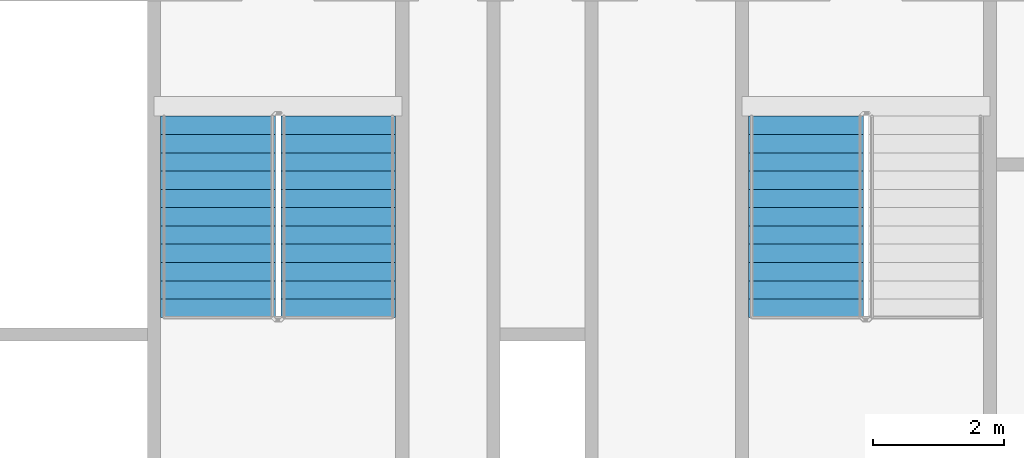
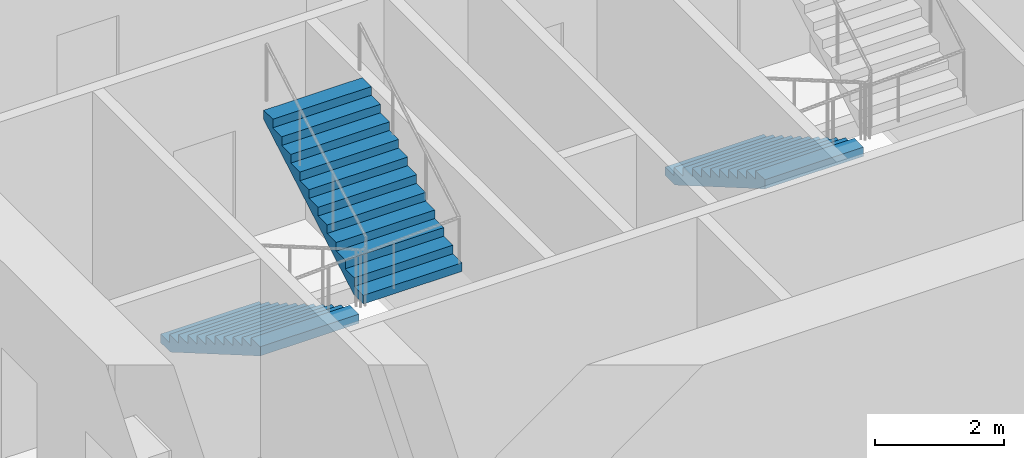
# One storey, part 15 of 22: 3 stair flights, 2 elements without a shape of their own.
"""IFC4 building model written with IfcOpenShell, lengths in metres."""

from ifc_helpers import new_model, si_unit, direction, frame, origin, place, context, subcontext, project, spatial, faceted_brep, material, type_object, element, aggregate, save


model = new_model("IFC4")

# Units and contexts
model_context = context("Model", 3, precision=1e-05, world=origin(), true_north=direction((0.0, 1.0)))
body_context = subcontext(model_context, "Body", "Model", "MODEL_VIEW")
ifc_project = project(units=[si_unit("LENGTHUNIT", "METRE"), si_unit("AREAUNIT", "SQUARE_METRE"), si_unit("VOLUMEUNIT", "CUBIC_METRE"), si_unit("PLANEANGLEUNIT", "RADIAN"), si_unit("MASSUNIT", "GRAM", prefix="KILO")], contexts=[model_context])

# Site, building, storey
site_placement = place(None, origin())
site = spatial("IfcSite", under=ifc_project, at=site_placement, CompositionType="ELEMENT")
building_placement = place(site_placement, origin())
building = spatial("IfcBuilding", under=site, at=building_placement, Name="Tarsis Ring Headquarters", CompositionType="ELEMENT")
storey_placement = place(building_placement, frame((0.0, 0.0, 63.39990234375)))
storey = spatial("IfcBuildingStorey", under=building, at=storey_placement, Name="L13", CompositionType="ELEMENT", Elevation=63.39990234375)

# Stair, stair flights
ifc_material_1 = material(Name="Core stair 1760")
stair_type = type_object("IfcStairType", Name="Core stair 1760", PredefinedType="HALF_TURN_STAIR", material=ifc_material_1)
stair_1_placement = place(storey_placement, origin())
stair_1 = element("IfcStair", 1, at=stair_1_placement, inside=storey, type_object=stair_type, Name="L13 Exit stair C", PredefinedType="HALF_TURN_STAIR")
ifc_material_2 = material(Name="Concrete C40/50", Category="concrete")
stair_flight_type = type_object("IfcStairFlightType", Name="Core stair flight 1760", PredefinedType="STRAIGHT", material=ifc_material_2)
stair_flight_1_placement = place(storey_placement, frame((-5.419921875, -3.659912109375, 0.0), z_axis=(0.0, 0.0, 1.0), x_axis=(0.0, -1.0, 0.0)))
stair_flight_1 = element("IfcStairFlight", 2, at=stair_flight_1_placement, type_object=stair_flight_type, Name="Stair ST3 flight 1", NumberOfRisers=12, NumberOfTreads=11, PredefinedType="STRAIGHT", RiserHeight=0.1625, TreadLength=0.28, context=body_context, shape_type="Brep", body=[
    faceted_brep([(0.0, 0.8798828125, 0.0), (0.0, 0.8798828125, 0.16259765625), (0.280029296875, 0.8798828125, 0.16259765625), (0.280029296875, 0.8798828125, 0.324951171875), (0.56005859375, 0.8798828125, 0.324951171875), (0.56005859375, 0.8798828125, 0.487548828125), (0.840087890625, 0.8798828125, 0.487548828125), (0.840087890625, 0.8798828125, 0.64990234375), (1.1201171875, 0.8798828125, 0.64990234375), (1.1201171875, 0.8798828125, 0.8125), (1.39990234375, 0.8798828125, 0.8125), (1.39990234375, 0.8798828125, 0.97509765625), (1.679931640625, 0.8798828125, 0.97509765625), (1.679931640625, 0.8798828125, 1.137451171875), (1.9599609375, 0.8798828125, 1.137451171875), (1.9599609375, 0.8798828125, 1.300048828125), (2.239990234375, 0.8798828125, 1.300048828125), (2.239990234375, 0.8798828125, 1.46240234375), (2.52001953125, 0.8798828125, 1.46240234375), (2.52001953125, 0.8798828125, 1.625), (2.800048828125, 0.8798828125, 1.625), (2.800048828125, 0.8798828125, 1.78759765625), (3.080078125, 0.8798828125, 1.78759765625), (3.080078125, 0.8798828125, 1.6142578125), (0.298583984375, 0.8798828125, 0.0), (0.298583984375, -0.8798828125, 0.0), (3.080078125, -0.8798828125, 1.6142578125), (3.080078125, -0.8798828125, 1.78759765625), (2.800048828125, -0.8798828125, 1.78759765625), (2.800048828125, -0.8798828125, 1.625), (2.52001953125, -0.8798828125, 1.625), (2.52001953125, -0.8798828125, 1.46240234375), (2.239990234375, -0.8798828125, 1.46240234375), (2.239990234375, -0.8798828125, 1.300048828125), (1.9599609375, -0.8798828125, 1.300048828125), (1.9599609375, -0.8798828125, 1.137451171875), (1.679931640625, -0.8798828125, 1.137451171875), (1.679931640625, -0.8798828125, 0.97509765625), (1.39990234375, -0.8798828125, 0.97509765625), (1.39990234375, -0.8798828125, 0.8125), (1.1201171875, -0.8798828125, 0.8125), (1.1201171875, -0.8798828125, 0.64990234375), (0.840087890625, -0.8798828125, 0.64990234375), (0.840087890625, -0.8798828125, 0.487548828125), (0.56005859375, -0.8798828125, 0.487548828125), (0.56005859375, -0.8798828125, 0.324951171875), (0.280029296875, -0.8798828125, 0.324951171875), (0.280029296875, -0.8798828125, 0.16259765625), (0.0, -0.8798828125, 0.16259765625), (0.0, -0.8798828125, 0.0), (0.0, -0.43994140625, 0.16259765625), (0.0, -0.43994140625, 0.0), (0.0, 0.0, 0.16259765625), (0.0, 0.0, 0.0), (0.0, 0.43994140625, 0.16259765625), (0.0, 0.43994140625, 0.0), (0.280029296875, -0.43994140625, 0.16259765625), (0.280029296875, 0.0, 0.16259765625), (0.280029296875, 0.43994140625, 0.16259765625), (0.280029296875, -0.43994140625, 0.324951171875), (0.280029296875, 0.0, 0.324951171875), (0.280029296875, 0.43994140625, 0.324951171875), (0.56005859375, -0.43994140625, 0.324951171875), (0.56005859375, 0.0, 0.324951171875), (0.56005859375, 0.43994140625, 0.324951171875), (0.56005859375, -0.43994140625, 0.487548828125), (0.56005859375, 0.0, 0.487548828125), (0.56005859375, 0.43994140625, 0.487548828125), (0.840087890625, -0.43994140625, 0.487548828125), (0.840087890625, 0.0, 0.487548828125), (0.840087890625, 0.43994140625, 0.487548828125), (0.840087890625, -0.43994140625, 0.64990234375), (0.840087890625, 0.0, 0.64990234375), (0.840087890625, 0.43994140625, 0.64990234375), (1.1201171875, -0.43994140625, 0.64990234375), (1.1201171875, 0.0, 0.64990234375), (1.1201171875, 0.43994140625, 0.64990234375), (1.1201171875, -0.43994140625, 0.8125), (1.1201171875, 0.0, 0.8125), (1.1201171875, 0.43994140625, 0.8125), (1.39990234375, -0.43994140625, 0.8125), (1.39990234375, 0.0, 0.8125), (1.39990234375, 0.43994140625, 0.8125), (1.39990234375, -0.43994140625, 0.97509765625), (1.39990234375, 0.0, 0.97509765625), (1.39990234375, 0.43994140625, 0.97509765625), (1.679931640625, -0.43994140625, 0.97509765625), (1.679931640625, 0.0, 0.97509765625), (1.679931640625, 0.43994140625, 0.97509765625), (1.679931640625, -0.43994140625, 1.137451171875), (1.679931640625, 0.0, 1.137451171875), (1.679931640625, 0.43994140625, 1.137451171875), (1.9599609375, -0.43994140625, 1.137451171875), (1.9599609375, 0.0, 1.137451171875), (1.9599609375, 0.43994140625, 1.137451171875), (1.9599609375, -0.43994140625, 1.300048828125), (1.9599609375, 0.0, 1.300048828125), (1.9599609375, 0.43994140625, 1.300048828125), (2.239990234375, -0.43994140625, 1.300048828125), (2.239990234375, 0.0, 1.300048828125), (2.239990234375, 0.43994140625, 1.300048828125), (2.239990234375, -0.43994140625, 1.46240234375), (2.239990234375, 0.0, 1.46240234375), (2.239990234375, 0.43994140625, 1.46240234375), (2.52001953125, -0.43994140625, 1.46240234375), (2.52001953125, 0.0, 1.46240234375), (2.52001953125, 0.43994140625, 1.46240234375), (2.52001953125, -0.43994140625, 1.625), (2.52001953125, 0.0, 1.625), (2.52001953125, 0.43994140625, 1.625), (2.800048828125, -0.43994140625, 1.625), (2.800048828125, 0.0, 1.625), (2.800048828125, 0.43994140625, 1.625), (2.800048828125, -0.43994140625, 1.78759765625), (2.800048828125, 0.0, 1.78759765625), (2.800048828125, 0.43994140625, 1.78759765625), (3.080078125, -0.43994140625, 1.78759765625), (3.080078125, 0.0, 1.78759765625), (3.080078125, 0.43994140625, 1.78759765625), (3.080078125, -0.43994140625, 1.6142578125), (3.080078125, 0.0, 1.6142578125), (3.080078125, 0.43994140625, 1.6142578125), (0.298583984375, -0.43994140625, 0.0), (0.298583984375, 0.0, 0.0), (0.298583984375, 0.43994140625, 0.0)], [[[0, 1, 2, 3, 4, 5, 6, 7, 8, 9, 10, 11, 12, 13, 14, 15, 16, 17, 18, 19, 20, 21, 22, 23, 24]], [[25, 26, 27, 28, 29, 30, 31, 32, 33, 34, 35, 36, 37, 38, 39, 40, 41, 42, 43, 44, 45, 46, 47, 48, 49]], [[49, 48, 50, 51]], [[51, 50, 52, 53]], [[53, 52, 54, 55]], [[55, 54, 1, 0]], [[48, 47, 56, 50]], [[50, 56, 57, 52]], [[52, 57, 58, 54]], [[54, 58, 2, 1]], [[47, 46, 59, 56]], [[56, 59, 60, 57]], [[57, 60, 61, 58]], [[58, 61, 3, 2]], [[46, 45, 62, 59]], [[59, 62, 63, 60]], [[60, 63, 64, 61]], [[61, 64, 4, 3]], [[45, 44, 65, 62]], [[62, 65, 66, 63]], [[63, 66, 67, 64]], [[64, 67, 5, 4]], [[44, 43, 68, 65]], [[65, 68, 69, 66]], [[66, 69, 70, 67]], [[67, 70, 6, 5]], [[43, 42, 71, 68]], [[68, 71, 72, 69]], [[69, 72, 73, 70]], [[70, 73, 7, 6]], [[42, 41, 74, 71]], [[71, 74, 75, 72]], [[72, 75, 76, 73]], [[73, 76, 8, 7]], [[41, 40, 77, 74]], [[74, 77, 78, 75]], [[75, 78, 79, 76]], [[76, 79, 9, 8]], [[40, 39, 80, 77]], [[77, 80, 81, 78]], [[78, 81, 82, 79]], [[79, 82, 10, 9]], [[39, 38, 83, 80]], [[80, 83, 84, 81]], [[81, 84, 85, 82]], [[82, 85, 11, 10]], [[38, 37, 86, 83]], [[83, 86, 87, 84]], [[84, 87, 88, 85]], [[85, 88, 12, 11]], [[37, 36, 89, 86]], [[86, 89, 90, 87]], [[87, 90, 91, 88]], [[88, 91, 13, 12]], [[36, 35, 92, 89]], [[89, 92, 93, 90]], [[90, 93, 94, 91]], [[91, 94, 14, 13]], [[35, 34, 95, 92]], [[92, 95, 96, 93]], [[93, 96, 97, 94]], [[94, 97, 15, 14]], [[34, 33, 98, 95]], [[95, 98, 99, 96]], [[96, 99, 100, 97]], [[97, 100, 16, 15]], [[33, 32, 101, 98]], [[98, 101, 102, 99]], [[99, 102, 103, 100]], [[100, 103, 17, 16]], [[32, 31, 104, 101]], [[101, 104, 105, 102]], [[102, 105, 106, 103]], [[103, 106, 18, 17]], [[31, 30, 107, 104]], [[104, 107, 108, 105]], [[105, 108, 109, 106]], [[106, 109, 19, 18]], [[30, 29, 110, 107]], [[107, 110, 111, 108]], [[108, 111, 112, 109]], [[109, 112, 20, 19]], [[29, 28, 113, 110]], [[110, 113, 114, 111]], [[111, 114, 115, 112]], [[112, 115, 21, 20]], [[28, 27, 116, 113]], [[113, 116, 117, 114]], [[114, 117, 118, 115]], [[115, 118, 22, 21]], [[27, 26, 119, 116]], [[116, 119, 120, 117]], [[117, 120, 121, 118]], [[118, 121, 23, 22]], [[26, 25, 122, 119]], [[119, 122, 123, 120]], [[120, 123, 124, 121]], [[121, 124, 24, 23]], [[25, 49, 51, 122]], [[122, 51, 53, 123]], [[123, 53, 55, 124]], [[124, 55, 0, 24]]]),
])
stair_flight_2_placement = place(storey_placement, frame((-3.580078125, -6.739990234375, 1.9501953125), z_axis=(0.0, 0.0, 1.0), x_axis=(0.0, 1.0, 0.0)))
stair_flight_2 = element("IfcStairFlight", 3, at=stair_flight_2_placement, type_object=stair_flight_type, Name="Stair ST3 flight 2", NumberOfRisers=12, NumberOfTreads=11, PredefinedType="STRAIGHT", RiserHeight=0.1625, TreadLength=0.28, context=body_context, shape_type="Brep", body=[
    faceted_brep([(0.0, 0.8798828125, 0.0), (0.0, 0.8798828125, 0.16259765625), (0.280029296875, 0.8798828125, 0.16259765625), (0.280029296875, 0.8798828125, 0.324951171875), (0.56005859375, 0.8798828125, 0.324951171875), (0.56005859375, 0.8798828125, 0.487548828125), (0.840087890625, 0.8798828125, 0.487548828125), (0.840087890625, 0.8798828125, 0.64990234375), (1.1201171875, 0.8798828125, 0.64990234375), (1.1201171875, 0.8798828125, 0.8125), (1.39990234375, 0.8798828125, 0.8125), (1.39990234375, 0.8798828125, 0.97509765625), (1.679931640625, 0.8798828125, 0.97509765625), (1.679931640625, 0.8798828125, 1.137451171875), (1.9599609375, 0.8798828125, 1.137451171875), (1.9599609375, 0.8798828125, 1.300048828125), (2.239990234375, 0.8798828125, 1.300048828125), (2.239990234375, 0.8798828125, 1.46240234375), (2.52001953125, 0.8798828125, 1.46240234375), (2.52001953125, 0.8798828125, 1.625), (2.800048828125, 0.8798828125, 1.625), (2.800048828125, 0.8798828125, 1.78759765625), (3.080078125, 0.8798828125, 1.78759765625), (3.080078125, 0.8798828125, 1.6142578125), (0.298583984375, 0.8798828125, 0.0), (0.298583984375, -0.8798828125, 0.0), (3.080078125, -0.8798828125, 1.6142578125), (3.080078125, -0.8798828125, 1.78759765625), (2.800048828125, -0.8798828125, 1.78759765625), (2.800048828125, -0.8798828125, 1.625), (2.52001953125, -0.8798828125, 1.625), (2.52001953125, -0.8798828125, 1.46240234375), (2.239990234375, -0.8798828125, 1.46240234375), (2.239990234375, -0.8798828125, 1.300048828125), (1.9599609375, -0.8798828125, 1.300048828125), (1.9599609375, -0.8798828125, 1.137451171875), (1.679931640625, -0.8798828125, 1.137451171875), (1.679931640625, -0.8798828125, 0.97509765625), (1.39990234375, -0.8798828125, 0.97509765625), (1.39990234375, -0.8798828125, 0.8125), (1.1201171875, -0.8798828125, 0.8125), (1.1201171875, -0.8798828125, 0.64990234375), (0.840087890625, -0.8798828125, 0.64990234375), (0.840087890625, -0.8798828125, 0.487548828125), (0.56005859375, -0.8798828125, 0.487548828125), (0.56005859375, -0.8798828125, 0.324951171875), (0.280029296875, -0.8798828125, 0.324951171875), (0.280029296875, -0.8798828125, 0.16259765625), (0.0, -0.8798828125, 0.16259765625), (0.0, -0.8798828125, 0.0), (0.0, -0.43994140625, 0.16259765625), (0.0, -0.43994140625, 0.0), (0.0, 0.0, 0.16259765625), (0.0, 0.0, 0.0), (0.0, 0.43994140625, 0.16259765625), (0.0, 0.43994140625, 0.0), (0.280029296875, -0.43994140625, 0.16259765625), (0.280029296875, 0.0, 0.16259765625), (0.280029296875, 0.43994140625, 0.16259765625), (0.280029296875, -0.43994140625, 0.324951171875), (0.280029296875, 0.0, 0.324951171875), (0.280029296875, 0.43994140625, 0.324951171875), (0.56005859375, -0.43994140625, 0.324951171875), (0.56005859375, 0.0, 0.324951171875), (0.56005859375, 0.43994140625, 0.324951171875), (0.56005859375, -0.43994140625, 0.487548828125), (0.56005859375, 0.0, 0.487548828125), (0.56005859375, 0.43994140625, 0.487548828125), (0.840087890625, -0.43994140625, 0.487548828125), (0.840087890625, 0.0, 0.487548828125), (0.840087890625, 0.43994140625, 0.487548828125), (0.840087890625, -0.43994140625, 0.64990234375), (0.840087890625, 0.0, 0.64990234375), (0.840087890625, 0.43994140625, 0.64990234375), (1.1201171875, -0.43994140625, 0.64990234375), (1.1201171875, 0.0, 0.64990234375), (1.1201171875, 0.43994140625, 0.64990234375), (1.1201171875, -0.43994140625, 0.8125), (1.1201171875, 0.0, 0.8125), (1.1201171875, 0.43994140625, 0.8125), (1.39990234375, -0.43994140625, 0.8125), (1.39990234375, 0.0, 0.8125), (1.39990234375, 0.43994140625, 0.8125), (1.39990234375, -0.43994140625, 0.97509765625), (1.39990234375, 0.0, 0.97509765625), (1.39990234375, 0.43994140625, 0.97509765625), (1.679931640625, -0.43994140625, 0.97509765625), (1.679931640625, 0.0, 0.97509765625), (1.679931640625, 0.43994140625, 0.97509765625), (1.679931640625, -0.43994140625, 1.137451171875), (1.679931640625, 0.0, 1.137451171875), (1.679931640625, 0.43994140625, 1.137451171875), (1.9599609375, -0.43994140625, 1.137451171875), (1.9599609375, 0.0, 1.137451171875), (1.9599609375, 0.43994140625, 1.137451171875), (1.9599609375, -0.43994140625, 1.300048828125), (1.9599609375, 0.0, 1.300048828125), (1.9599609375, 0.43994140625, 1.300048828125), (2.239990234375, -0.43994140625, 1.300048828125), (2.239990234375, 0.0, 1.300048828125), (2.239990234375, 0.43994140625, 1.300048828125), (2.239990234375, -0.43994140625, 1.46240234375), (2.239990234375, 0.0, 1.46240234375), (2.239990234375, 0.43994140625, 1.46240234375), (2.52001953125, -0.43994140625, 1.46240234375), (2.52001953125, 0.0, 1.46240234375), (2.52001953125, 0.43994140625, 1.46240234375), (2.52001953125, -0.43994140625, 1.625), (2.52001953125, 0.0, 1.625), (2.52001953125, 0.43994140625, 1.625), (2.800048828125, -0.43994140625, 1.625), (2.800048828125, 0.0, 1.625), (2.800048828125, 0.43994140625, 1.625), (2.800048828125, -0.43994140625, 1.78759765625), (2.800048828125, 0.0, 1.78759765625), (2.800048828125, 0.43994140625, 1.78759765625), (3.080078125, -0.43994140625, 1.78759765625), (3.080078125, 0.0, 1.78759765625), (3.080078125, 0.43994140625, 1.78759765625), (3.080078125, -0.43994140625, 1.6142578125), (3.080078125, 0.0, 1.6142578125), (3.080078125, 0.43994140625, 1.6142578125), (0.298583984375, -0.43994140625, 0.0), (0.298583984375, 0.0, 0.0), (0.298583984375, 0.43994140625, 0.0)], [[[0, 1, 2, 3, 4, 5, 6, 7, 8, 9, 10, 11, 12, 13, 14, 15, 16, 17, 18, 19, 20, 21, 22, 23, 24]], [[25, 26, 27, 28, 29, 30, 31, 32, 33, 34, 35, 36, 37, 38, 39, 40, 41, 42, 43, 44, 45, 46, 47, 48, 49]], [[49, 48, 50, 51]], [[51, 50, 52, 53]], [[53, 52, 54, 55]], [[55, 54, 1, 0]], [[48, 47, 56, 50]], [[50, 56, 57, 52]], [[52, 57, 58, 54]], [[54, 58, 2, 1]], [[47, 46, 59, 56]], [[56, 59, 60, 57]], [[57, 60, 61, 58]], [[58, 61, 3, 2]], [[46, 45, 62, 59]], [[59, 62, 63, 60]], [[60, 63, 64, 61]], [[61, 64, 4, 3]], [[45, 44, 65, 62]], [[62, 65, 66, 63]], [[63, 66, 67, 64]], [[64, 67, 5, 4]], [[44, 43, 68, 65]], [[65, 68, 69, 66]], [[66, 69, 70, 67]], [[67, 70, 6, 5]], [[43, 42, 71, 68]], [[68, 71, 72, 69]], [[69, 72, 73, 70]], [[70, 73, 7, 6]], [[42, 41, 74, 71]], [[71, 74, 75, 72]], [[72, 75, 76, 73]], [[73, 76, 8, 7]], [[41, 40, 77, 74]], [[74, 77, 78, 75]], [[75, 78, 79, 76]], [[76, 79, 9, 8]], [[40, 39, 80, 77]], [[77, 80, 81, 78]], [[78, 81, 82, 79]], [[79, 82, 10, 9]], [[39, 38, 83, 80]], [[80, 83, 84, 81]], [[81, 84, 85, 82]], [[82, 85, 11, 10]], [[38, 37, 86, 83]], [[83, 86, 87, 84]], [[84, 87, 88, 85]], [[85, 88, 12, 11]], [[37, 36, 89, 86]], [[86, 89, 90, 87]], [[87, 90, 91, 88]], [[88, 91, 13, 12]], [[36, 35, 92, 89]], [[89, 92, 93, 90]], [[90, 93, 94, 91]], [[91, 94, 14, 13]], [[35, 34, 95, 92]], [[92, 95, 96, 93]], [[93, 96, 97, 94]], [[94, 97, 15, 14]], [[34, 33, 98, 95]], [[95, 98, 99, 96]], [[96, 99, 100, 97]], [[97, 100, 16, 15]], [[33, 32, 101, 98]], [[98, 101, 102, 99]], [[99, 102, 103, 100]], [[100, 103, 17, 16]], [[32, 31, 104, 101]], [[101, 104, 105, 102]], [[102, 105, 106, 103]], [[103, 106, 18, 17]], [[31, 30, 107, 104]], [[104, 107, 108, 105]], [[105, 108, 109, 106]], [[106, 109, 19, 18]], [[30, 29, 110, 107]], [[107, 110, 111, 108]], [[108, 111, 112, 109]], [[109, 112, 20, 19]], [[29, 28, 113, 110]], [[110, 113, 114, 111]], [[111, 114, 115, 112]], [[112, 115, 21, 20]], [[28, 27, 116, 113]], [[113, 116, 117, 114]], [[114, 117, 118, 115]], [[115, 118, 22, 21]], [[27, 26, 119, 116]], [[116, 119, 120, 117]], [[117, 120, 121, 118]], [[118, 121, 23, 22]], [[26, 25, 122, 119]], [[119, 122, 123, 120]], [[120, 123, 124, 121]], [[121, 124, 24, 23]], [[25, 49, 51, 122]], [[122, 51, 53, 123]], [[123, 53, 55, 124]], [[124, 55, 0, 24]]]),
])
aggregate(stair_1, [stair_flight_1, stair_flight_2])

# Stair, stair flight
stair_2_placement = place(storey_placement, origin())
stair_2 = element("IfcStair", 4, at=stair_2_placement, inside=storey, type_object=stair_type, Name="L13 Exit stair D", PredefinedType="HALF_TURN_STAIR")
stair_flight_3_placement = place(storey_placement, frame((3.580078125, -3.659912109375, 0.0), z_axis=(0.0, 0.0, 1.0), x_axis=(0.0, -1.0, 0.0)))
stair_flight_3 = element("IfcStairFlight", 5, at=stair_flight_3_placement, type_object=stair_flight_type, Name="Stair ST4 flight 1", NumberOfRisers=12, NumberOfTreads=11, PredefinedType="STRAIGHT", RiserHeight=0.1625, TreadLength=0.28, context=body_context, shape_type="Brep", body=[
    faceted_brep([(0.0, 0.8798828125, 0.0), (0.0, 0.8798828125, 0.16259765625), (0.280029296875, 0.8798828125, 0.16259765625), (0.280029296875, 0.8798828125, 0.324951171875), (0.56005859375, 0.8798828125, 0.324951171875), (0.56005859375, 0.8798828125, 0.487548828125), (0.840087890625, 0.8798828125, 0.487548828125), (0.840087890625, 0.8798828125, 0.64990234375), (1.1201171875, 0.8798828125, 0.64990234375), (1.1201171875, 0.8798828125, 0.8125), (1.39990234375, 0.8798828125, 0.8125), (1.39990234375, 0.8798828125, 0.97509765625), (1.679931640625, 0.8798828125, 0.97509765625), (1.679931640625, 0.8798828125, 1.137451171875), (1.9599609375, 0.8798828125, 1.137451171875), (1.9599609375, 0.8798828125, 1.300048828125), (2.239990234375, 0.8798828125, 1.300048828125), (2.239990234375, 0.8798828125, 1.46240234375), (2.52001953125, 0.8798828125, 1.46240234375), (2.52001953125, 0.8798828125, 1.625), (2.800048828125, 0.8798828125, 1.625), (2.800048828125, 0.8798828125, 1.78759765625), (3.080078125, 0.8798828125, 1.78759765625), (3.080078125, 0.8798828125, 1.6142578125), (0.298583984375, 0.8798828125, 0.0), (0.298583984375, -0.8798828125, 0.0), (3.080078125, -0.8798828125, 1.6142578125), (3.080078125, -0.8798828125, 1.78759765625), (2.800048828125, -0.8798828125, 1.78759765625), (2.800048828125, -0.8798828125, 1.625), (2.52001953125, -0.8798828125, 1.625), (2.52001953125, -0.8798828125, 1.46240234375), (2.239990234375, -0.8798828125, 1.46240234375), (2.239990234375, -0.8798828125, 1.300048828125), (1.9599609375, -0.8798828125, 1.300048828125), (1.9599609375, -0.8798828125, 1.137451171875), (1.679931640625, -0.8798828125, 1.137451171875), (1.679931640625, -0.8798828125, 0.97509765625), (1.39990234375, -0.8798828125, 0.97509765625), (1.39990234375, -0.8798828125, 0.8125), (1.1201171875, -0.8798828125, 0.8125), (1.1201171875, -0.8798828125, 0.64990234375), (0.840087890625, -0.8798828125, 0.64990234375), (0.840087890625, -0.8798828125, 0.487548828125), (0.56005859375, -0.8798828125, 0.487548828125), (0.56005859375, -0.8798828125, 0.324951171875), (0.280029296875, -0.8798828125, 0.324951171875), (0.280029296875, -0.8798828125, 0.16259765625), (0.0, -0.8798828125, 0.16259765625), (0.0, -0.8798828125, 0.0), (0.0, -0.43994140625, 0.16259765625), (0.0, -0.43994140625, 0.0), (0.0, 0.0, 0.16259765625), (0.0, 0.0, 0.0), (0.0, 0.43994140625, 0.16259765625), (0.0, 0.43994140625, 0.0), (0.280029296875, -0.43994140625, 0.16259765625), (0.280029296875, 0.0, 0.16259765625), (0.280029296875, 0.43994140625, 0.16259765625), (0.280029296875, -0.43994140625, 0.324951171875), (0.280029296875, 0.0, 0.324951171875), (0.280029296875, 0.43994140625, 0.324951171875), (0.56005859375, -0.43994140625, 0.324951171875), (0.56005859375, 0.0, 0.324951171875), (0.56005859375, 0.43994140625, 0.324951171875), (0.56005859375, -0.43994140625, 0.487548828125), (0.56005859375, 0.0, 0.487548828125), (0.56005859375, 0.43994140625, 0.487548828125), (0.840087890625, -0.43994140625, 0.487548828125), (0.840087890625, 0.0, 0.487548828125), (0.840087890625, 0.43994140625, 0.487548828125), (0.840087890625, -0.43994140625, 0.64990234375), (0.840087890625, 0.0, 0.64990234375), (0.840087890625, 0.43994140625, 0.64990234375), (1.1201171875, -0.43994140625, 0.64990234375), (1.1201171875, 0.0, 0.64990234375), (1.1201171875, 0.43994140625, 0.64990234375), (1.1201171875, -0.43994140625, 0.8125), (1.1201171875, 0.0, 0.8125), (1.1201171875, 0.43994140625, 0.8125), (1.39990234375, -0.43994140625, 0.8125), (1.39990234375, 0.0, 0.8125), (1.39990234375, 0.43994140625, 0.8125), (1.39990234375, -0.43994140625, 0.97509765625), (1.39990234375, 0.0, 0.97509765625), (1.39990234375, 0.43994140625, 0.97509765625), (1.679931640625, -0.43994140625, 0.97509765625), (1.679931640625, 0.0, 0.97509765625), (1.679931640625, 0.43994140625, 0.97509765625), (1.679931640625, -0.43994140625, 1.137451171875), (1.679931640625, 0.0, 1.137451171875), (1.679931640625, 0.43994140625, 1.137451171875), (1.9599609375, -0.43994140625, 1.137451171875), (1.9599609375, 0.0, 1.137451171875), (1.9599609375, 0.43994140625, 1.137451171875), (1.9599609375, -0.43994140625, 1.300048828125), (1.9599609375, 0.0, 1.300048828125), (1.9599609375, 0.43994140625, 1.300048828125), (2.239990234375, -0.43994140625, 1.300048828125), (2.239990234375, 0.0, 1.300048828125), (2.239990234375, 0.43994140625, 1.300048828125), (2.239990234375, -0.43994140625, 1.46240234375), (2.239990234375, 0.0, 1.46240234375), (2.239990234375, 0.43994140625, 1.46240234375), (2.52001953125, -0.43994140625, 1.46240234375), (2.52001953125, 0.0, 1.46240234375), (2.52001953125, 0.43994140625, 1.46240234375), (2.52001953125, -0.43994140625, 1.625), (2.52001953125, 0.0, 1.625), (2.52001953125, 0.43994140625, 1.625), (2.800048828125, -0.43994140625, 1.625), (2.800048828125, 0.0, 1.625), (2.800048828125, 0.43994140625, 1.625), (2.800048828125, -0.43994140625, 1.78759765625), (2.800048828125, 0.0, 1.78759765625), (2.800048828125, 0.43994140625, 1.78759765625), (3.080078125, -0.43994140625, 1.78759765625), (3.080078125, 0.0, 1.78759765625), (3.080078125, 0.43994140625, 1.78759765625), (3.080078125, -0.43994140625, 1.6142578125), (3.080078125, 0.0, 1.6142578125), (3.080078125, 0.43994140625, 1.6142578125), (0.298583984375, -0.43994140625, 0.0), (0.298583984375, 0.0, 0.0), (0.298583984375, 0.43994140625, 0.0)], [[[0, 1, 2, 3, 4, 5, 6, 7, 8, 9, 10, 11, 12, 13, 14, 15, 16, 17, 18, 19, 20, 21, 22, 23, 24]], [[25, 26, 27, 28, 29, 30, 31, 32, 33, 34, 35, 36, 37, 38, 39, 40, 41, 42, 43, 44, 45, 46, 47, 48, 49]], [[49, 48, 50, 51]], [[51, 50, 52, 53]], [[53, 52, 54, 55]], [[55, 54, 1, 0]], [[48, 47, 56, 50]], [[50, 56, 57, 52]], [[52, 57, 58, 54]], [[54, 58, 2, 1]], [[47, 46, 59, 56]], [[56, 59, 60, 57]], [[57, 60, 61, 58]], [[58, 61, 3, 2]], [[46, 45, 62, 59]], [[59, 62, 63, 60]], [[60, 63, 64, 61]], [[61, 64, 4, 3]], [[45, 44, 65, 62]], [[62, 65, 66, 63]], [[63, 66, 67, 64]], [[64, 67, 5, 4]], [[44, 43, 68, 65]], [[65, 68, 69, 66]], [[66, 69, 70, 67]], [[67, 70, 6, 5]], [[43, 42, 71, 68]], [[68, 71, 72, 69]], [[69, 72, 73, 70]], [[70, 73, 7, 6]], [[42, 41, 74, 71]], [[71, 74, 75, 72]], [[72, 75, 76, 73]], [[73, 76, 8, 7]], [[41, 40, 77, 74]], [[74, 77, 78, 75]], [[75, 78, 79, 76]], [[76, 79, 9, 8]], [[40, 39, 80, 77]], [[77, 80, 81, 78]], [[78, 81, 82, 79]], [[79, 82, 10, 9]], [[39, 38, 83, 80]], [[80, 83, 84, 81]], [[81, 84, 85, 82]], [[82, 85, 11, 10]], [[38, 37, 86, 83]], [[83, 86, 87, 84]], [[84, 87, 88, 85]], [[85, 88, 12, 11]], [[37, 36, 89, 86]], [[86, 89, 90, 87]], [[87, 90, 91, 88]], [[88, 91, 13, 12]], [[36, 35, 92, 89]], [[89, 92, 93, 90]], [[90, 93, 94, 91]], [[91, 94, 14, 13]], [[35, 34, 95, 92]], [[92, 95, 96, 93]], [[93, 96, 97, 94]], [[94, 97, 15, 14]], [[34, 33, 98, 95]], [[95, 98, 99, 96]], [[96, 99, 100, 97]], [[97, 100, 16, 15]], [[33, 32, 101, 98]], [[98, 101, 102, 99]], [[99, 102, 103, 100]], [[100, 103, 17, 16]], [[32, 31, 104, 101]], [[101, 104, 105, 102]], [[102, 105, 106, 103]], [[103, 106, 18, 17]], [[31, 30, 107, 104]], [[104, 107, 108, 105]], [[105, 108, 109, 106]], [[106, 109, 19, 18]], [[30, 29, 110, 107]], [[107, 110, 111, 108]], [[108, 111, 112, 109]], [[109, 112, 20, 19]], [[29, 28, 113, 110]], [[110, 113, 114, 111]], [[111, 114, 115, 112]], [[112, 115, 21, 20]], [[28, 27, 116, 113]], [[113, 116, 117, 114]], [[114, 117, 118, 115]], [[115, 118, 22, 21]], [[27, 26, 119, 116]], [[116, 119, 120, 117]], [[117, 120, 121, 118]], [[118, 121, 23, 22]], [[26, 25, 122, 119]], [[119, 122, 123, 120]], [[120, 123, 124, 121]], [[121, 124, 24, 23]], [[25, 49, 51, 122]], [[122, 51, 53, 123]], [[123, 53, 55, 124]], [[124, 55, 0, 24]]]),
])
aggregate(stair_2, [stair_flight_3])

save(model, "model.ifc")
